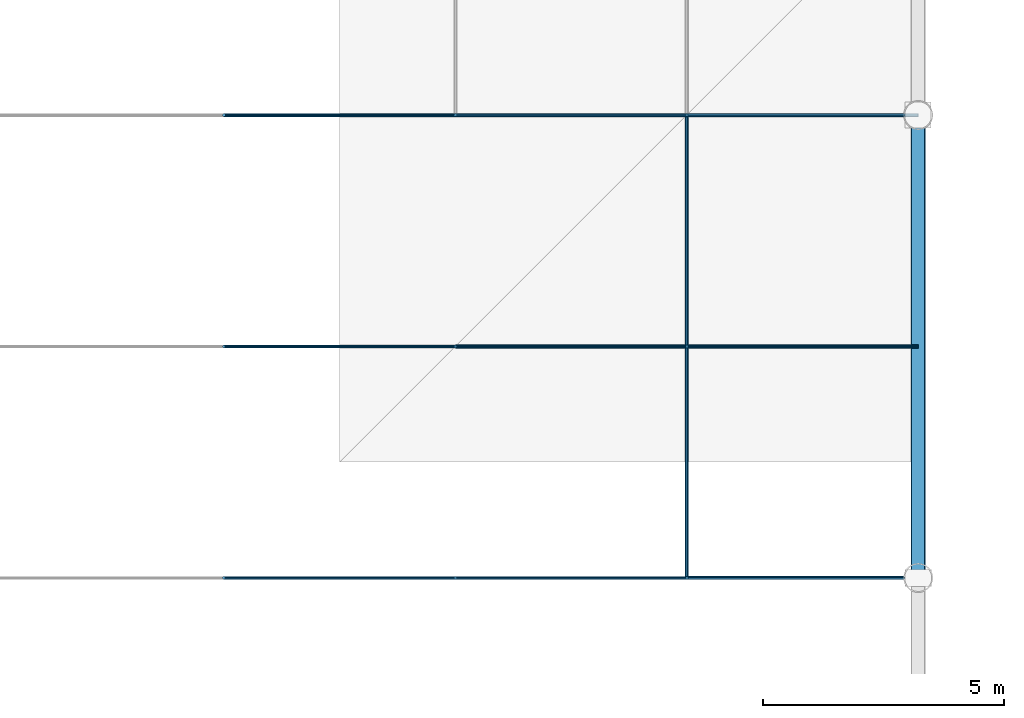
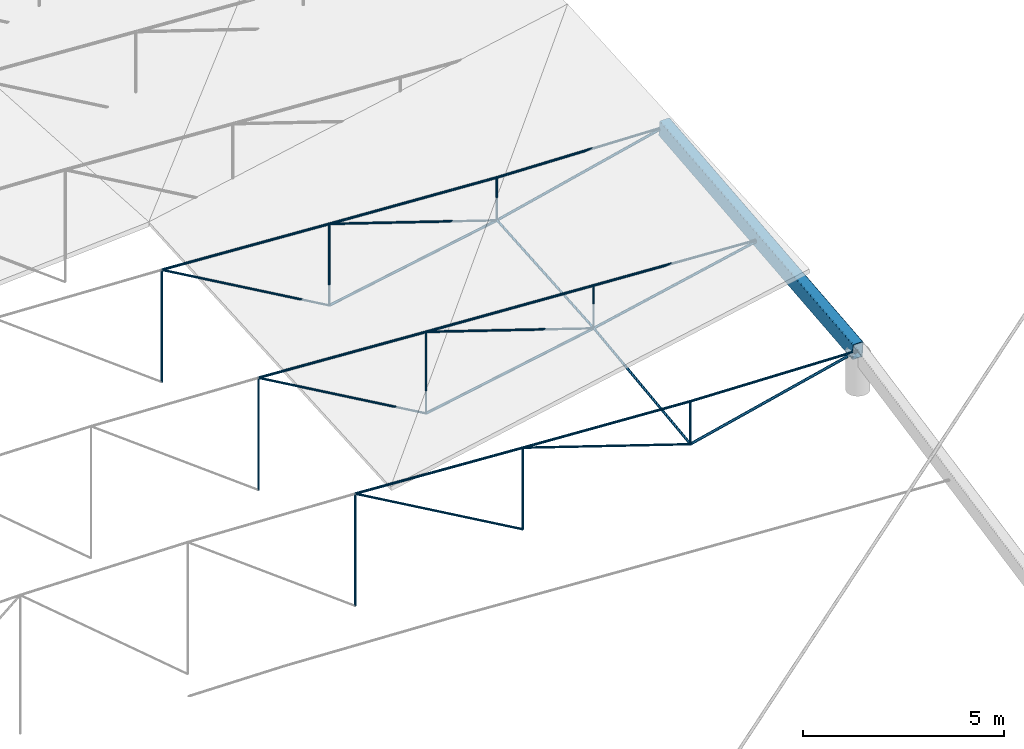
# One storey, part 26 of 50: 31 members, 1 beam.
"""IFC4 building model written with IfcOpenShell, lengths in metres."""

import ifcopenshell
import ifcopenshell.guid

model = None  # the IFC model being written
_history = None  # IfcOwnerHistory: only IFC2X3 demands one
_inside = {}  # id of a spatial element -> (the spatial element, [elements in it])
_under = {}  # id of a project, library or spatial element -> (it, [spatial elements below it])
_declared = {}  # id of a project -> (the project, [libraries it declares])
_typed = {}  # id of a type object -> (the type object, [elements of that type])
_made_of = {}  # id of a material, layer set ... -> (it, [elements and type objects made of it])


def new_model(schema):
    """Start an empty IFC model of exactly this schema.

    Asked for "IFC4X3", IfcOpenShell would pick the latest addendum, in which some entities
    have other attributes; the version numbers below select the first issue.
    IFC2X3 requires an IfcOwnerHistory on every rooted entity: one is made here for all.
    """
    global model, _history
    if schema == "IFC4X3":
        model = ifcopenshell.file(schema_version=(4, 3, 0, 0))
    else:
        model = ifcopenshell.file(schema=schema)
    _inside.clear()
    _under.clear()
    _declared.clear()
    _typed.clear()
    _made_of.clear()
    _history = None
    if model.schema == "IFC2X3":
        org = make("IfcOrganization", Name="unknown")
        user = make(
            "IfcPersonAndOrganization",
            ThePerson=make("IfcPerson", FamilyName="unknown"),
            TheOrganization=org,
        )
        app = make(
            "IfcApplication",
            ApplicationDeveloper=org,
            Version="unknown",
            ApplicationFullName="unknown",
            ApplicationIdentifier="unknown",
        )
        _history = make(
            "IfcOwnerHistory",
            OwningUser=user,
            OwningApplication=app,
            ChangeAction="ADDED",
            CreationDate=0,
        )
    return model


def make(cls, **values):
    """One entity of the class cls with the attributes given. An attribute that is None is left unset."""
    return model.create_entity(
        cls, **{name: value for name, value in values.items() if value is not None}
    )


def rooted(cls, **values):
    """An entity with a GlobalId (a new one), such as an element, a storey or a relation."""
    return make(cls, GlobalId=ifcopenshell.guid.new(), OwnerHistory=_history, **values)


def si_unit(unit_type, name, prefix=None):
    """IfcSIUnit, for example si_unit("LENGTHUNIT", "METRE", prefix="MILLI")."""
    return make("IfcSIUnit", UnitType=unit_type, Prefix=prefix, Name=name)


def assignment(units):
    """IfcUnitAssignment: the units of a project."""
    return None if units is None else make("IfcUnitAssignment", Units=units)


def point(xyz):
    """IfcCartesianPoint."""
    return None if xyz is None else make("IfcCartesianPoint", Coordinates=xyz)


def direction(xyz):
    """IfcDirection."""
    return None if xyz is None else make("IfcDirection", DirectionRatios=xyz)


def frame(location, z_axis=None, x_axis=None):
    """IfcAxis2Placement3D, a coordinate frame: its origin and axes. An axis left out is left unset."""
    return make(
        "IfcAxis2Placement3D",
        Location=point(location),
        Axis=direction(z_axis),
        RefDirection=direction(x_axis),
    )


def frame_2d(location, x_axis=None):
    """IfcAxis2Placement2D, a coordinate frame in the plane: its origin and x axis."""
    return make(
        "IfcAxis2Placement2D", Location=point(location), RefDirection=direction(x_axis)
    )


def origin():
    """The frame at (0, 0, 0) with its axes left unset."""
    return frame((0.0, 0.0, 0.0))


def origin_2d():
    """The frame at (0, 0) in the plane with its x axis left unset."""
    return frame_2d((0.0, 0.0))


def place(relative_to, where):
    """IfcLocalPlacement: puts the frame where relative to a parent placement (None: the world)."""
    return make(
        "IfcLocalPlacement", PlacementRelTo=relative_to, RelativePlacement=where
    )


def context(
    kind, dimensions, precision=None, world=None, true_north=None, identifier=None
):
    """IfcGeometricRepresentationContext, for example the 3D "Model" context."""
    return make(
        "IfcGeometricRepresentationContext",
        ContextIdentifier=identifier,
        ContextType=kind,
        CoordinateSpaceDimension=dimensions,
        Precision=precision,
        WorldCoordinateSystem=world,
        TrueNorth=true_north,
    )


def subcontext(parent, identifier, kind, view, scale=None):
    """IfcGeometricRepresentationSubContext, for example "Body" below "Model"."""
    return make(
        "IfcGeometricRepresentationSubContext",
        ContextIdentifier=identifier,
        ContextType=kind,
        ParentContext=parent,
        TargetScale=scale,
        TargetView=view,
    )


def project(units=None, contexts=None):
    """IfcProject with its units and contexts."""
    return rooted(
        "IfcProject",
        Name="project",
        RepresentationContexts=contexts,
        UnitsInContext=assignment(units),
    )


def spatial(cls, under=None, at=None, **own):
    """A site, building, storey or space (cls), placed at a placement, below another one or the project."""
    s = rooted(cls, ObjectPlacement=at, **own)
    if under is not None:
        _under.setdefault(under.id(), (under, []))[1].append(s)
    return s


def profile(cls, at=None, kind="AREA", **sizes):
    """A parametric profile (cls). Its sizes go by their IFC names, for example OverallWidth=200.0."""
    return make(cls, ProfileType=kind, Position=at, **sizes)


def hollow_rectangle(**sizes):
    """IfcRectangleHollowProfileDef."""
    return profile("IfcRectangleHollowProfileDef", **sizes)


def circle(**sizes):
    """IfcCircleProfileDef."""
    return profile("IfcCircleProfileDef", **sizes)


def extrude(swept, where, along, depth):
    """IfcExtrudedAreaSolid: the profile swept, set in the frame where, extruded along a direction by depth."""
    return make(
        "IfcExtrudedAreaSolid",
        SweptArea=swept,
        Position=where,
        ExtrudedDirection=direction(along),
        Depth=depth,
    )


def shape(context_of_items, identifier, shape_type, items):
    """IfcShapeRepresentation: the items that make up one representation, for example the "Body"."""
    return make(
        "IfcShapeRepresentation",
        ContextOfItems=context_of_items,
        RepresentationIdentifier=identifier,
        RepresentationType=shape_type,
        Items=items,
    )


def material(Name=None, Category=None):
    """IfcMaterial."""
    return make("IfcMaterial", Name=Name, Category=Category)


def material_profile(
    of_material, cross_section, Name=None, Category=None, Priority=None
):
    """IfcMaterialProfile: a cross section and its material."""
    return make(
        "IfcMaterialProfile",
        Name=Name,
        Material=of_material,
        Profile=cross_section,
        Priority=Priority,
        Category=Category,
    )


def profile_set(profiles, Name=None, composite=None):
    """IfcMaterialProfileSet."""
    return make(
        "IfcMaterialProfileSet",
        Name=Name,
        MaterialProfiles=profiles,
        CompositeProfile=composite,
    )


def made_of(thing, what):
    """Note that an element or type object is made of a material, layer set ...; save() writes the relation."""
    if what is not None:
        _made_of.setdefault(what.id(), (what, []))[1].append(thing)
    return thing


def type_object(cls, material=None, **own):
    """A type object (cls), such as IfcWallType, which elements share."""
    return made_of(rooted(cls, **own), material)


def element(
    cls,
    number,
    at=None,
    inside=None,
    cuts=None,
    type_object=None,
    material=None,
    context=None,
    identifier="Body",
    shape_type=None,
    held_by="IfcProductDefinitionShape",
    body=None,
    shapes=None,
    **own,
):
    """One element of the class cls, such as IfcWall. Its Tag is "e" and its number.

    at: its placement. inside: the storey or other place that contains it. cuts: it is an
    opening in that element (IfcRelVoidsElement). A single representation is given by context,
    identifier, shape_type and body (its items); several are given by shapes. held_by: the class
    of the entity that holds the representations. save() writes the other relations.
    """
    e = rooted(cls, Tag="e%d" % number, ObjectPlacement=at, **own)
    if body is not None:
        shapes = [shape(context, identifier, shape_type, body)]
    if shapes is not None:
        e.Representation = make(held_by, Representations=shapes)
    if inside is not None:
        _inside.setdefault(inside.id(), (inside, []))[1].append(e)
    if cuts is not None:
        rooted(
            "IfcRelVoidsElement", RelatingBuildingElement=cuts, RelatedOpeningElement=e
        )
    if type_object is not None:
        _typed.setdefault(type_object.id(), (type_object, []))[1].append(e)
    return made_of(e, material)


def aggregate(whole, parts):
    """IfcRelAggregates: a whole, such as a stair, and the parts it consists of."""
    return rooted("IfcRelAggregates", RelatingObject=whole, RelatedObjects=parts)


def save(model, path):
    """Write the relations noted so far, then the file.

    IfcRelAggregates (storeys below a building ...), IfcRelContainedInSpatialStructure (elements
    in a storey), IfcRelDefinesByType, IfcRelAssociatesMaterial and IfcRelDeclares: one each for
    every whole, place, type object, material and project.
    """
    for whole, parts in _under.values():
        aggregate(whole, parts)
    for where, things in _inside.values():
        rooted(
            "IfcRelContainedInSpatialStructure",
            RelatedElements=things,
            RelatingStructure=where,
        )
    for kind, things in _typed.values():
        rooted("IfcRelDefinesByType", RelatedObjects=things, RelatingType=kind)
    for what, things in _made_of.values():
        rooted("IfcRelAssociatesMaterial", RelatedObjects=things, RelatingMaterial=what)
    for by, libraries in _declared.values():
        rooted("IfcRelDeclares", RelatingContext=by, RelatedDefinitions=libraries)
    model.write(path)


model = new_model("IFC4")

# Units and contexts
model_context = context("Model", 3, precision=1e-05, world=origin(), true_north=direction((0.0, 1.0)))
body_context = subcontext(model_context, "Body", "Model", "MODEL_VIEW")
ifc_project = project(units=[si_unit("LENGTHUNIT", "METRE"), si_unit("AREAUNIT", "SQUARE_METRE"), si_unit("VOLUMEUNIT", "CUBIC_METRE"), si_unit("PLANEANGLEUNIT", "RADIAN"), si_unit("MASSUNIT", "GRAM", prefix="KILO")], contexts=[model_context])

# Site, building, storey
site_placement = place(None, origin())
site = spatial("IfcSite", under=ifc_project, at=site_placement, CompositionType="ELEMENT")
building_placement = place(site_placement, origin())
building = spatial("IfcBuilding", under=site, at=building_placement, Name="Zevrakil Square Congress Hotel", CompositionType="ELEMENT")
storey_placement = place(building_placement, frame((0.0, 0.0, 21.5)))
storey = spatial("IfcBuildingStorey", under=building, at=storey_placement, Name="L06", CompositionType="ELEMENT", Elevation=21.5)

# Members
ifc_material_1 = material(Name="Steel S355", Category="steel")
ifc_material_profile_1 = material_profile(ifc_material_1, circle(Radius=0.030029296875, at=origin_2d()), Name="CABLE RD60")
ifc_profile_set_1 = profile_set([ifc_material_profile_1], Name="Steel S355")
member_type_1 = type_object("IfcMemberType", Name="MEM-CABLE-RD60", PredefinedType="USERDEFINED", material=ifc_profile_set_1)
member_1_placement = place(storey_placement, frame((151.199951171875, 74.39990234375, -1.51806640625), z_axis=(0.0, 0.0, 1.0), x_axis=(1.0, 0.0, 0.0)))
element("IfcMember", 1, at=member_1_placement, inside=storey, type_object=member_type_1, Name="Congress cable-truss vertical tie CBW-02-7", ObjectType="ROOF CABLE", PredefinedType="USERDEFINED", context=body_context, shape_type="SweptSolid", body=[
    extrude(circle(Radius=0.030029296875, at=origin_2d()), origin(), (0.0, 0.0, 1.0), 3.39794921875),
])
member_2_placement = place(storey_placement, frame((156.0, 74.39990234375, -0.8779296875), z_axis=(-0.867079197454, 0.0, 0.498170317605), x_axis=(0.0, -1.0, 0.0)))
element("IfcMember", 2, at=member_2_placement, inside=storey, type_object=member_type_1, Name="Congress cable-truss web diagonal CBD-02-8", ObjectType="ROOF CABLE", PredefinedType="USERDEFINED", context=body_context, shape_type="SweptSolid", body=[
    extrude(circle(Radius=0.030029296875, at=origin_2d()), origin(), (0.0, 0.0, 1.0), 5.535888671875),
])
member_3_placement = place(storey_placement, frame((156.0, 74.39990234375, -0.8779296875), z_axis=(0.0, 0.0, 1.0), x_axis=(1.0, 0.0, 0.0)))
element("IfcMember", 3, at=member_3_placement, inside=storey, type_object=member_type_1, Name="Congress cable-truss vertical tie CBW-02-8", ObjectType="ROOF CABLE", PredefinedType="USERDEFINED", context=body_context, shape_type="SweptSolid", body=[
    extrude(circle(Radius=0.030029296875, at=origin_2d()), origin(), (0.0, 0.0, 1.0), 2.46875),
])
member_4_placement = place(storey_placement, frame((160.800048828125, 74.39990234375, 0.01806640625), z_axis=(-0.95029004287, 0.0, 0.311366077828), x_axis=(0.0, -1.0, 0.0)))
element("IfcMember", 4, at=member_4_placement, inside=storey, type_object=member_type_1, Name="Congress cable-truss web diagonal CBD-02-9", ObjectType="ROOF CABLE", PredefinedType="USERDEFINED", context=body_context, shape_type="SweptSolid", body=[
    extrude(circle(Radius=0.030029296875, at=origin_2d()), origin(), (0.0, 0.0, 1.0), 5.051025390625),
])
member_5_placement = place(storey_placement, frame((160.800048828125, 74.39990234375, 0.01806640625), z_axis=(0.0, 0.0, 1.0), x_axis=(1.0, 0.0, 0.0)))
element("IfcMember", 5, at=member_5_placement, inside=storey, type_object=member_type_1, Name="Congress cable-truss vertical tie CBW-02-9", ObjectType="ROOF CABLE", PredefinedType="USERDEFINED", context=body_context, shape_type="SweptSolid", body=[
    extrude(circle(Radius=0.030029296875, at=origin_2d()), origin(), (0.0, 0.0, 1.0), 1.2978515625),
])
member_6_placement = place(storey_placement, frame((151.199951171875, 79.199951171875, -0.91796875), z_axis=(0.0, 0.0, 1.0), x_axis=(1.0, 0.0, 0.0)))
element("IfcMember", 6, at=member_6_placement, inside=storey, type_object=member_type_1, Name="Congress cable-truss vertical tie CBW-03-7", ObjectType="ROOF CABLE", PredefinedType="USERDEFINED", context=body_context, shape_type="SweptSolid", body=[
    extrude(circle(Radius=0.030029296875, at=origin_2d()), origin(), (0.0, 0.0, 1.0), 3.39794921875),
])
member_7_placement = place(storey_placement, frame((156.0, 79.199951171875, -0.278076171875), z_axis=(-0.867060147467, 0.0, 0.498203473167), x_axis=(0.0, -1.0, 0.0)))
element("IfcMember", 7, at=member_7_placement, inside=storey, type_object=member_type_1, Name="Congress cable-truss web diagonal CBD-03-8", ObjectType="ROOF CABLE", PredefinedType="USERDEFINED", context=body_context, shape_type="SweptSolid", body=[
    extrude(circle(Radius=0.030029296875, at=origin_2d()), origin(), (0.0, 0.0, 1.0), 5.535888671875),
])
member_8_placement = place(storey_placement, frame((156.0, 79.199951171875, -0.278076171875), z_axis=(0.0, 0.0, 1.0), x_axis=(1.0, 0.0, 0.0)))
element("IfcMember", 8, at=member_8_placement, inside=storey, type_object=member_type_1, Name="Congress cable-truss vertical tie CBW-03-8", ObjectType="ROOF CABLE", PredefinedType="USERDEFINED", context=body_context, shape_type="SweptSolid", body=[
    extrude(circle(Radius=0.030029296875, at=origin_2d()), origin(), (0.0, 0.0, 1.0), 2.46875),
])
member_9_placement = place(storey_placement, frame((160.800048828125, 79.199951171875, 0.617919921875), z_axis=(-0.95029004287, 0.0, 0.311366077828), x_axis=(0.0, -1.0, 0.0)))
element("IfcMember", 9, at=member_9_placement, inside=storey, type_object=member_type_1, Name="Congress cable-truss web diagonal CBD-03-9", ObjectType="ROOF CABLE", PredefinedType="USERDEFINED", context=body_context, shape_type="SweptSolid", body=[
    extrude(circle(Radius=0.030029296875, at=origin_2d()), origin(), (0.0, 0.0, 1.0), 5.051025390625),
])
member_10_placement = place(storey_placement, frame((160.800048828125, 79.199951171875, 0.617919921875), z_axis=(0.0, 0.0, 1.0), x_axis=(1.0, 0.0, 0.0)))
element("IfcMember", 10, at=member_10_placement, inside=storey, type_object=member_type_1, Name="Congress cable-truss vertical tie CBW-03-9", ObjectType="ROOF CABLE", PredefinedType="USERDEFINED", context=body_context, shape_type="SweptSolid", body=[
    extrude(circle(Radius=0.030029296875, at=origin_2d()), origin(), (0.0, 0.0, 1.0), 1.298095703125),
])
member_11_placement = place(storey_placement, frame((151.199951171875, 84.0, -0.55810546875), z_axis=(0.0, 0.0, 1.0), x_axis=(1.0, 0.0, 0.0)))
element("IfcMember", 11, at=member_11_placement, inside=storey, type_object=member_type_1, Name="Congress cable-truss vertical tie CBW-04-7", ObjectType="ROOF CABLE", PredefinedType="USERDEFINED", context=body_context, shape_type="SweptSolid", body=[
    extrude(circle(Radius=0.030029296875, at=origin_2d()), origin(), (0.0, 0.0, 1.0), 3.39794921875),
])
member_12_placement = place(storey_placement, frame((156.0, 84.0, 0.08203125), z_axis=(-0.867079197454, 0.0, 0.498170317605), x_axis=(0.0, -1.0, 0.0)))
element("IfcMember", 12, at=member_12_placement, inside=storey, type_object=member_type_1, Name="Congress cable-truss web diagonal CBD-04-8", ObjectType="ROOF CABLE", PredefinedType="USERDEFINED", context=body_context, shape_type="SweptSolid", body=[
    extrude(circle(Radius=0.030029296875, at=origin_2d()), origin(), (0.0, 0.0, 1.0), 5.535888671875),
])
member_13_placement = place(storey_placement, frame((156.0, 84.0, 0.08203125), z_axis=(0.0, 0.0, 1.0), x_axis=(1.0, 0.0, 0.0)))
element("IfcMember", 13, at=member_13_placement, inside=storey, type_object=member_type_1, Name="Congress cable-truss vertical tie CBW-04-8", ObjectType="ROOF CABLE", PredefinedType="USERDEFINED", context=body_context, shape_type="SweptSolid", body=[
    extrude(circle(Radius=0.030029296875, at=origin_2d()), origin(), (0.0, 0.0, 1.0), 2.46875),
])
member_14_placement = place(storey_placement, frame((160.800048828125, 84.0, 0.97802734375), z_axis=(-0.95029004287, 0.0, 0.311366077828), x_axis=(0.0, -1.0, 0.0)))
element("IfcMember", 14, at=member_14_placement, inside=storey, type_object=member_type_1, Name="Congress cable-truss web diagonal CBD-04-9", ObjectType="ROOF CABLE", PredefinedType="USERDEFINED", context=body_context, shape_type="SweptSolid", body=[
    extrude(circle(Radius=0.030029296875, at=origin_2d()), origin(), (0.0, 0.0, 1.0), 5.051025390625),
])
member_15_placement = place(storey_placement, frame((160.800048828125, 84.0, 0.97802734375), z_axis=(0.0, 0.0, 1.0), x_axis=(1.0, 0.0, 0.0)))
element("IfcMember", 15, at=member_15_placement, inside=storey, type_object=member_type_1, Name="Congress cable-truss vertical tie CBW-04-9", ObjectType="ROOF CABLE", PredefinedType="USERDEFINED", context=body_context, shape_type="SweptSolid", body=[
    extrude(circle(Radius=0.030029296875, at=origin_2d()), origin(), (0.0, 0.0, 1.0), 1.2978515625),
])
ifc_material_2 = material(Name="Steel S355", Category="steel")
ifc_material_profile_2 = material_profile(ifc_material_2, circle(Radius=0.033935546875, at=origin_2d()), Name="CABLE RD68")
ifc_profile_set_2 = profile_set([ifc_material_profile_2], Name="Steel S355")
member_type_2 = type_object("IfcMemberType", Name="MEM-CABLE-RD68", PredefinedType="USERDEFINED", material=ifc_profile_set_2)
member_16_placement = place(storey_placement, frame((160.800048828125, 74.39990234375, 0.028076171875), z_axis=(0.0, 0.9922817585, 0.124003676346), x_axis=(-1.0, 0.0, 0.0)))
element("IfcMember", 16, at=member_16_placement, inside=storey, type_object=member_type_2, Name="Congress saddle stabilizing cable CBH-09 seg 3", ObjectType="ROOF CABLE", PredefinedType="USERDEFINED", context=body_context, shape_type="SweptSolid", body=[
    extrude(circle(Radius=0.033935546875, at=origin_2d()), origin(), (0.0, 0.0, 1.0), 4.83740234375),
])
member_17_placement = place(storey_placement, frame((160.800048828125, 79.199951171875, 0.6279296875), z_axis=(0.0, 0.997197702014, 0.074811383473), x_axis=(-1.0, 0.0, 0.0)))
element("IfcMember", 17, at=member_17_placement, inside=storey, type_object=member_type_2, Name="Congress saddle stabilizing cable CBH-09 seg 4", ObjectType="ROOF CABLE", PredefinedType="USERDEFINED", context=body_context, shape_type="SweptSolid", body=[
    extrude(circle(Radius=0.033935546875, at=origin_2d()), origin(), (0.0, 0.0, 1.0), 4.8134765625),
])
member_18_placement = place(storey_placement, frame((151.199951171875, 74.39990234375, 1.8798828125), z_axis=(0.998191648201, 0.0, -0.060111841283), x_axis=(0.0, 1.0, 0.0)))
element("IfcMember", 18, at=member_18_placement, inside=storey, type_object=member_type_2, Name="Congress lenticular upper cable chord CBU-02 seg 8", ObjectType="ROOF CABLE", PredefinedType="USERDEFINED", context=body_context, shape_type="SweptSolid", body=[
    extrude(circle(Radius=0.033935546875, at=origin_2d()), origin(), (0.0, 0.0, 1.0), 4.808837890625),
])
member_19_placement = place(storey_placement, frame((156.0, 74.39990234375, 1.5908203125), z_axis=(0.998364054477, 0.0, -0.057177047217), x_axis=(0.0, 1.0, 0.0)))
element("IfcMember", 19, at=member_19_placement, inside=storey, type_object=member_type_2, Name="Congress lenticular upper cable chord CBU-02 seg 9", ObjectType="ROOF CABLE", PredefinedType="USERDEFINED", context=body_context, shape_type="SweptSolid", body=[
    extrude(circle(Radius=0.033935546875, at=origin_2d()), origin(), (0.0, 0.0, 1.0), 4.807861328125),
])
member_20_placement = place(storey_placement, frame((160.800048828125, 74.39990234375, 1.31591796875), z_axis=(0.999537768043, 0.0, -0.030401484426), x_axis=(0.0, 1.0, 0.0)))
element("IfcMember", 20, at=member_20_placement, inside=storey, type_object=member_type_2, Name="Congress lenticular upper cable chord CBU-02 seg 10", ObjectType="ROOF CABLE", PredefinedType="USERDEFINED", context=body_context, shape_type="SweptSolid", body=[
    extrude(circle(Radius=0.033935546875, at=origin_2d()), origin(), (0.0, 0.0, 1.0), 4.80224609375),
])
member_21_placement = place(storey_placement, frame((151.199951171875, 79.199951171875, 2.47998046875), z_axis=(0.998188600561, 0.0, -0.060162427733), x_axis=(0.0, 1.0, 0.0)))
element("IfcMember", 21, at=member_21_placement, inside=storey, type_object=member_type_2, Name="Congress lenticular upper cable chord CBU-03 seg 8", ObjectType="ROOF CABLE", PredefinedType="USERDEFINED", context=body_context, shape_type="SweptSolid", body=[
    extrude(circle(Radius=0.033935546875, at=origin_2d()), origin(), (0.0, 0.0, 1.0), 4.808837890625),
])
member_22_placement = place(storey_placement, frame((156.0, 79.199951171875, 2.190673828125), z_axis=(0.99836695184, 0.0, -0.057126434099), x_axis=(0.0, 1.0, 0.0)))
element("IfcMember", 22, at=member_22_placement, inside=storey, type_object=member_type_2, Name="Congress lenticular upper cable chord CBU-03 seg 9", ObjectType="ROOF CABLE", PredefinedType="USERDEFINED", context=body_context, shape_type="SweptSolid", body=[
    extrude(circle(Radius=0.033935546875, at=origin_2d()), origin(), (0.0, 0.0, 1.0), 4.807861328125),
])
member_23_placement = place(storey_placement, frame((160.800048828125, 79.199951171875, 1.916015625), z_axis=(0.998466753159, 0.0, -0.055354700216), x_axis=(0.0, 1.0, 0.0)))
element("IfcMember", 23, at=member_23_placement, inside=storey, type_object=member_type_2, Name="Congress lenticular upper cable chord CBU-03 seg 10", ObjectType="ROOF CABLE", PredefinedType="USERDEFINED", context=body_context, shape_type="SweptSolid", body=[
    extrude(circle(Radius=0.033935546875, at=origin_2d()), origin(), (0.0, 0.0, 1.0), 4.807373046875),
])
member_24_placement = place(storey_placement, frame((151.199951171875, 84.0, 2.83984375), z_axis=(0.998191648201, 0.0, -0.060111841283), x_axis=(0.0, 1.0, 0.0)))
element("IfcMember", 24, at=member_24_placement, inside=storey, type_object=member_type_2, Name="Congress lenticular upper cable chord CBU-04 seg 8", ObjectType="ROOF CABLE", PredefinedType="USERDEFINED", context=body_context, shape_type="SweptSolid", body=[
    extrude(circle(Radius=0.033935546875, at=origin_2d()), origin(), (0.0, 0.0, 1.0), 4.808837890625),
])
member_25_placement = place(storey_placement, frame((156.0, 84.0, 2.55078125), z_axis=(0.998364054477, 0.0, -0.057177047217), x_axis=(0.0, 1.0, 0.0)))
element("IfcMember", 25, at=member_25_placement, inside=storey, type_object=member_type_2, Name="Congress lenticular upper cable chord CBU-04 seg 9", ObjectType="ROOF CABLE", PredefinedType="USERDEFINED", context=body_context, shape_type="SweptSolid", body=[
    extrude(circle(Radius=0.033935546875, at=origin_2d()), origin(), (0.0, 0.0, 1.0), 4.807861328125),
])
member_26_placement = place(storey_placement, frame((160.800048828125, 84.0, 2.27587890625), z_axis=(0.999537768043, 0.0, -0.030401484426), x_axis=(0.0, 1.0, 0.0)))
element("IfcMember", 26, at=member_26_placement, inside=storey, type_object=member_type_2, Name="Congress lenticular upper cable chord CBU-04 seg 10", ObjectType="ROOF CABLE", PredefinedType="USERDEFINED", context=body_context, shape_type="SweptSolid", body=[
    extrude(circle(Radius=0.033935546875, at=origin_2d()), origin(), (0.0, 0.0, 1.0), 4.80224609375),
])
ifc_material_3 = material(Name="Steel S355", Category="steel")
ifc_material_profile_3 = material_profile(ifc_material_3, circle(Radius=0.0380859375, at=origin_2d()), Name="CABLE RD76")
ifc_profile_set_3 = profile_set([ifc_material_profile_3], Name="Steel S355")
member_type_3 = type_object("IfcMemberType", Name="MEM-CABLE-RD76", PredefinedType="USERDEFINED", material=ifc_profile_set_3)
member_27_placement = place(storey_placement, frame((160.800048828125, 74.39990234375, 0.01806640625), z_axis=(0.972394484533, 0.0, 0.233343023144), x_axis=(0.0, 1.0, 0.0)))
element("IfcMember", 27, at=member_27_placement, inside=storey, type_object=member_type_3, Name="Congress saddle carrying cable CBS-02 seg 10", ObjectType="ROOF CABLE", PredefinedType="USERDEFINED", context=body_context, shape_type="SweptSolid", body=[
    extrude(circle(Radius=0.0380859375, at=origin_2d()), origin(), (0.0, 0.0, 1.0), 4.936279296875),
])
member_28_placement = place(storey_placement, frame((156.0, 79.199951171875, -0.278076171875), z_axis=(0.983020729765, 0.0, 0.183494536302), x_axis=(0.0, 1.0, 0.0)))
element("IfcMember", 28, at=member_28_placement, inside=storey, type_object=member_type_3, Name="Congress saddle carrying cable CBS-03 seg 9", ObjectType="ROOF CABLE", PredefinedType="USERDEFINED", context=body_context, shape_type="SweptSolid", body=[
    extrude(circle(Radius=0.0380859375, at=origin_2d()), origin(), (0.0, 0.0, 1.0), 4.883056640625),
])
member_29_placement = place(storey_placement, frame((160.800048828125, 79.199951171875, 0.617919921875), z_axis=(0.977660289196, 0.0, 0.210191243702), x_axis=(0.0, 1.0, 0.0)))
element("IfcMember", 29, at=member_29_placement, inside=storey, type_object=member_type_3, Name="Congress saddle carrying cable CBS-03 seg 10", ObjectType="ROOF CABLE", PredefinedType="USERDEFINED", context=body_context, shape_type="SweptSolid", body=[
    extrude(circle(Radius=0.0380859375, at=origin_2d()), origin(), (0.0, 0.0, 1.0), 4.90966796875),
])
member_30_placement = place(storey_placement, frame((156.0, 84.0, 0.08203125), z_axis=(0.983020729765, 0.0, 0.183494536302), x_axis=(0.0, 1.0, 0.0)))
element("IfcMember", 30, at=member_30_placement, inside=storey, type_object=member_type_3, Name="Congress saddle carrying cable CBS-04 seg 9", ObjectType="ROOF CABLE", PredefinedType="USERDEFINED", context=body_context, shape_type="SweptSolid", body=[
    extrude(circle(Radius=0.0380859375, at=origin_2d()), origin(), (0.0, 0.0, 1.0), 4.883056640625),
])
member_31_placement = place(storey_placement, frame((160.800048828125, 84.0, 0.97802734375), z_axis=(0.972394484533, 0.0, 0.233343023144), x_axis=(0.0, 1.0, 0.0)))
element("IfcMember", 31, at=member_31_placement, inside=storey, type_object=member_type_3, Name="Congress saddle carrying cable CBS-04 seg 10", ObjectType="ROOF CABLE", PredefinedType="USERDEFINED", context=body_context, shape_type="SweptSolid", body=[
    extrude(circle(Radius=0.0380859375, at=origin_2d()), origin(), (0.0, 0.0, 1.0), 4.936279296875),
])

# Beam
ifc_material_4 = material(Name="Steel S355", Category="steel")
ifc_material_profile_4 = material_profile(ifc_material_4, hollow_rectangle(XDim=0.300048828125, YDim=0.5, WallThickness=0.02001953125, InnerFilletRadius=0.02001953125, OuterFilletRadius=0.0400390625, at=origin_2d()), Name="RHS 500x300x20")
ifc_profile_set_4 = profile_set([ifc_material_profile_4], Name="Steel S355")
beam_type = type_object("IfcBeamType", Name="RNG-RHS500", PredefinedType="USERDEFINED", material=ifc_profile_set_4)
beam_placement = place(storey_placement, frame((165.60009765625, 74.39990234375, 1.169921875), z_axis=(0.0, 0.995037691284, 0.099498708156), x_axis=(-1.0, 0.0, 0.0)))
element("IfcBeam", 32, at=beam_placement, inside=storey, type_object=beam_type, Name="Congress Hall compression ring beam RB-07", ObjectType="RING BEAM", PredefinedType="USERDEFINED", context=body_context, shape_type="SweptSolid", body=[
    extrude(hollow_rectangle(XDim=0.300048828125, YDim=0.5, WallThickness=0.02001953125, InnerFilletRadius=0.02001953125, OuterFilletRadius=0.0400390625, at=origin_2d()), origin(), (0.0, 0.0, 1.0), 9.64794921875),
])

save(model, "model.ifc")
